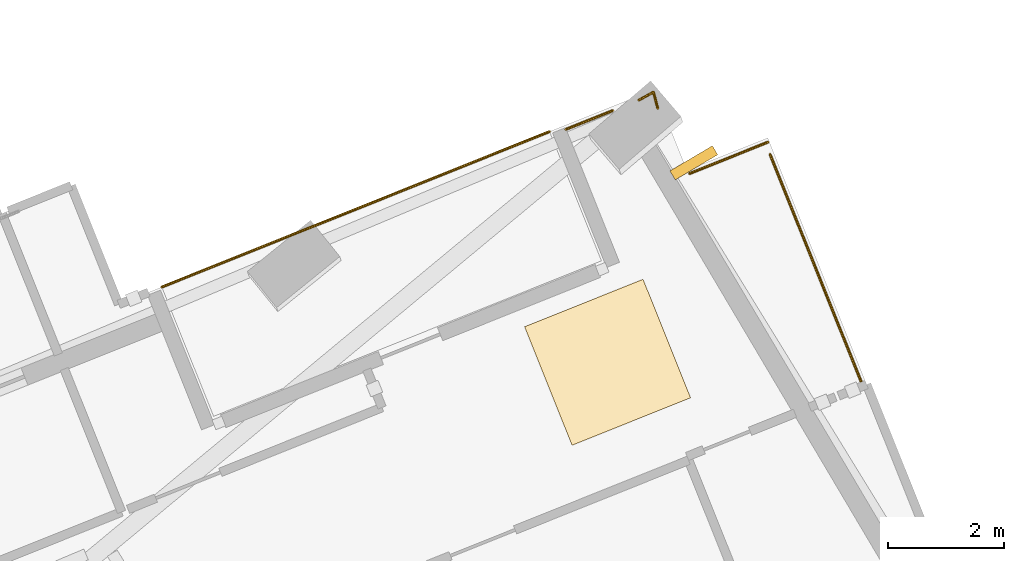
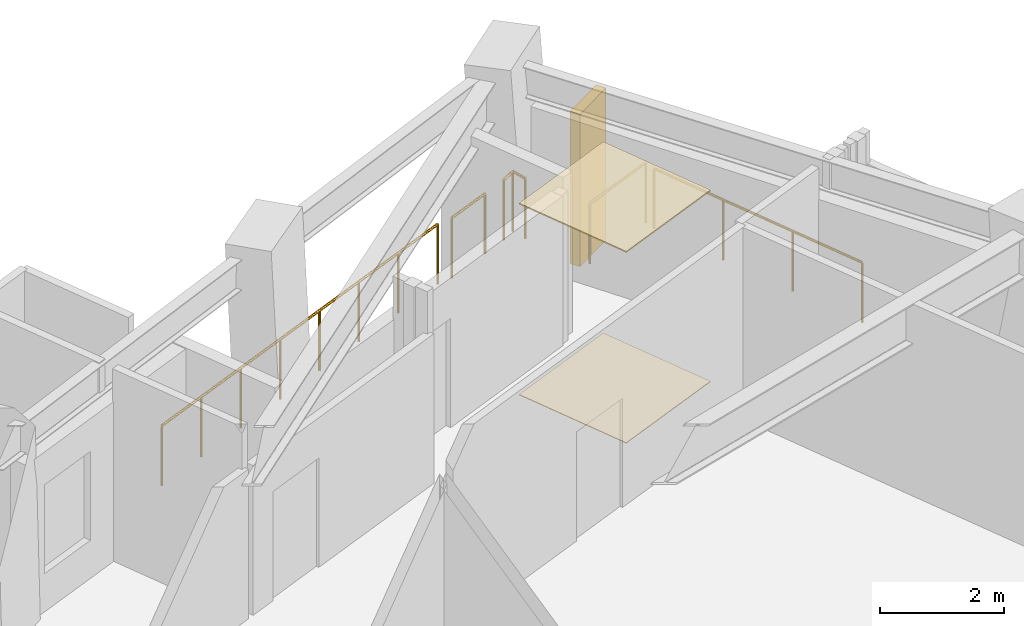
# One storey, part 16 of 16: 5 railings, 2 coverings, 1 shading device.
"""IFC4 building model written with IfcOpenShell, lengths in metres."""

from ifc_helpers import new_model, si_unit, direction, frame, origin, origin_2d, place, context, subcontext, project, spatial, rectangle, circle, extrude, material, layer, layer_set, type_object, element, save


model = new_model("IFC4")

# Units and contexts
model_context = context("Model", 3, precision=1e-05, world=origin(), true_north=direction((0.0, 1.0)))
body_context = subcontext(model_context, "Body", "Model", "MODEL_VIEW")
ifc_project = project(units=[si_unit("LENGTHUNIT", "METRE"), si_unit("AREAUNIT", "SQUARE_METRE"), si_unit("VOLUMEUNIT", "CUBIC_METRE"), si_unit("PLANEANGLEUNIT", "RADIAN"), si_unit("MASSUNIT", "GRAM", prefix="KILO")], contexts=[model_context])

# Site, building, storey
site_placement = place(None, origin())
site = spatial("IfcSite", under=ifc_project, at=site_placement, CompositionType="ELEMENT")
building_placement = place(site_placement, origin())
building = spatial("IfcBuilding", under=site, at=building_placement, Name="Gaonmaruhae Medical Tower", CompositionType="ELEMENT")
storey_placement = place(building_placement, frame((0.0, 0.0, 116.39990234375)))
storey = spatial("IfcBuildingStorey", under=building, at=storey_placement, Name="L27", CompositionType="ELEMENT", Elevation=116.39990234375)

# Coverings
ifc_material_1 = material(Name="Acoustic mineral ceiling tile", Category="finish")
ifc_layer_1 = layer(ifc_material_1, 0.02490234375)
ifc_layer_set_1 = layer_set([ifc_layer_1], Name="Acoustic mineral ceiling tile")
covering_type_1 = type_object("IfcCoveringType", Name="CLG-01 Antimicrobial Acoustic Mineral Ceiling", PredefinedType="CEILING", material=ifc_layer_set_1)
covering_1_placement = place(storey_placement, frame((53.228515625, 27.431884765625, 3.755126953125), z_axis=(0.0, 0.0, 1.0), x_axis=(0.928161393808, 0.372177950778, 0.0)))
element("IfcCovering", 1, at=covering_1_placement, inside=storey, type_object=covering_type_1, Name="L27 Clinical Corridor Acoustic Ceiling", PredefinedType="CEILING", context=body_context, shape_type="SweptSolid", body=[
    extrude(rectangle(XDim=2.199951171875, YDim=2.199951171875, at=origin_2d()), origin(), (0.0, 0.0, 1.0), 0.02490234375),
])
ifc_material_2 = material(Name="Seamless clinical vinyl flooring", Category="finish")
ifc_layer_2 = layer(ifc_material_2, 0.014892578125)
ifc_layer_set_2 = layer_set([ifc_layer_2], Name="Seamless clinical vinyl flooring")
covering_type_2 = type_object("IfcCoveringType", Name="FLR-01 Seamless Clinical Antistatic Vinyl Flooring", PredefinedType="FLOORING", material=ifc_layer_set_2)
covering_2_placement = place(storey_placement, frame((53.228515625, 27.431884765625, 0.00048828125), z_axis=(0.0, 0.0, 1.0), x_axis=(0.928161393808, 0.372177950778, 0.0)))
element("IfcCovering", 2, at=covering_2_placement, inside=storey, type_object=covering_type_2, Name="L27 Clinical Corridor Vinyl Flooring", PredefinedType="FLOORING", context=body_context, shape_type="SweptSolid", body=[
    extrude(rectangle(XDim=2.199951171875, YDim=2.199951171875, at=origin_2d()), origin(), (0.0, 0.0, 1.0), 0.014892578125),
])

# Railings
ifc_material_3 = material(Name="Stainless steel 316L and laminated safety glass", Category="steel")
ifc_layer_3 = layer(ifc_material_3, 0.080078125)
ifc_layer_set_3 = layer_set([ifc_layer_3], Name="Stainless steel 316L and laminated safety glass")
railing_type = type_object("IfcRailingType", Name="GD-120 Outdoor Terrace Safety Glass & Steel Balustrade", PredefinedType="BALUSTRADE", material=ifc_layer_set_3)
railing_1_placement = place(storey_placement, frame((52.22900390625, 31.407958984375, 0.0)))
element("IfcRailing", 3, at=railing_1_placement, inside=storey, type_object=railing_type, Name="L27 Terrace Safety Guard RL-SLB-L27-TER-03", PredefinedType="BALUSTRADE", context=body_context, shape_type="SweptSolid", body=[
    extrude(circle(Radius=0.02392578125, at=origin_2d()), frame((0.0, 0.0, 1.17578125), z_axis=(-0.928163003937, -0.372173935309, 0.0), x_axis=(0.372173935309, -0.928163003937, 0.0)), (0.0, 0.0, 1.0), 7.2001953125),
    extrude(circle(Radius=0.02099609375, at=origin_2d()), origin(), (0.0, 0.0, 1.0), 1.15185546875),
    extrude(circle(Radius=0.02099609375, at=origin_2d()), frame((-0.95458984375, -0.3828125, 0.0)), (0.0, 0.0, 1.0), 1.15185546875),
    extrude(circle(Radius=0.02099609375, at=origin_2d()), frame((-1.909423828125, -0.765625, 0.0)), (0.0, 0.0, 1.0), 1.15185546875),
    extrude(circle(Radius=0.02099609375, at=origin_2d()), frame((-2.864013671875, -1.1484375, 0.0)), (0.0, 0.0, 1.0), 1.15185546875),
    extrude(circle(Radius=0.02099609375, at=origin_2d()), frame((-3.81884765625, -1.53125, 0.0)), (0.0, 0.0, 1.0), 1.15185546875),
    extrude(circle(Radius=0.02099609375, at=origin_2d()), frame((-4.7734375, -1.9140625, 0.0)), (0.0, 0.0, 1.0), 1.15185546875),
    extrude(circle(Radius=0.02099609375, at=origin_2d()), frame((-5.728271484375, -2.296875, 0.0)), (0.0, 0.0, 1.0), 1.15185546875),
    extrude(circle(Radius=0.02099609375, at=origin_2d()), frame((-6.682861328125, -2.6796875, 0.0)), (0.0, 0.0, 1.0), 1.15185546875),
])
railing_2_placement = place(storey_placement, frame((54.6416015625, 30.68408203125, 0.0)))
element("IfcRailing", 4, at=railing_2_placement, inside=storey, type_object=railing_type, Name="L27 Perimeter Slab Edge Safety Balustrade 01", PredefinedType="BALUSTRADE", context=body_context, shape_type="SweptSolid", body=[
    extrude(circle(Radius=0.02392578125, at=origin_2d()), frame((0.0, 0.0, 1.17578125), z_axis=(0.928211216302, 0.372053676143, 0.0), x_axis=(-0.372053676143, 0.928211216302, 0.0)), (0.0, 0.0, 1.0), 1.4599609375),
    extrude(circle(Radius=0.02099609375, at=origin_2d()), origin(), (0.0, 0.0, 1.0), 1.15185546875),
    extrude(circle(Radius=0.02099609375, at=origin_2d()), frame((1.355224609375, 0.543212890625, 0.0)), (0.0, 0.0, 1.0), 1.15185546875),
])
railing_3_placement = place(storey_placement, frame((56.027587890625, 31.0166015625, 0.0)))
element("IfcRailing", 5, at=railing_3_placement, inside=storey, type_object=railing_type, Name="L27 Perimeter Slab Edge Safety Balustrade 02", PredefinedType="BALUSTRADE", context=body_context, shape_type="SweptSolid", body=[
    extrude(circle(Radius=0.02392578125, at=origin_2d()), frame((0.0, 0.0, 1.17578125), z_axis=(0.37216982451, -0.928164652271, 0.0), x_axis=(0.928164652271, 0.37216982451, 0.0)), (0.0, 0.0, 1.0), 4.267333984375),
    extrude(circle(Radius=0.02099609375, at=origin_2d()), origin(), (0.0, 0.0, 1.0), 1.15185546875),
    extrude(circle(Radius=0.02099609375, at=origin_2d()), frame((0.529296875, -1.3203125, 0.0)), (0.0, 0.0, 1.0), 1.15185546875),
    extrude(circle(Radius=0.02099609375, at=origin_2d()), frame((1.058837890625, -2.640380859375, 0.0)), (0.0, 0.0, 1.0), 1.15185546875),
    extrude(circle(Radius=0.02099609375, at=origin_2d()), frame((1.588134765625, -3.960693359375, 0.0)), (0.0, 0.0, 1.0), 1.15185546875),
])
railing_4_placement = place(storey_placement, frame((52.509765625, 31.4453125, 0.0)))
element("IfcRailing", 6, at=railing_4_placement, inside=storey, type_object=railing_type, Name="L27 Perimeter Slab Edge Safety Balustrade 09", PredefinedType="BALUSTRADE", context=body_context, shape_type="SweptSolid", body=[
    extrude(circle(Radius=0.02392578125, at=origin_2d()), frame((0.0, 0.0, 1.17578125), z_axis=(0.928244002298, 0.37197187017, 0.0), x_axis=(-0.37197187017, 0.928244002298, 0.0)), (0.0, 0.0, 1.0), 0.868896484375),
    extrude(circle(Radius=0.02099609375, at=origin_2d()), origin(), (0.0, 0.0, 1.0), 1.15185546875),
    extrude(circle(Radius=0.02099609375, at=origin_2d()), frame((0.806640625, 0.3232421875, 0.0)), (0.0, 0.0, 1.0), 1.15185546875),
])
railing_5_placement = place(storey_placement, frame((53.767822265625, 31.94970703125, 0.0)))
element("IfcRailing", 7, at=railing_5_placement, inside=storey, type_object=railing_type, Name="L27 Perimeter Corner Safety Balustrade 11", PredefinedType="BALUSTRADE", context=body_context, shape_type="SweptSolid", body=[
    extrude(circle(Radius=0.02392578125, at=origin_2d()), frame((0.0, 0.0, 1.17578125), z_axis=(0.876036275348, 0.482245211769, 0.0), x_axis=(-0.482245211769, 0.876036275348, 0.0)), (0.0, 0.0, 1.0), 0.287109375),
    extrude(circle(Radius=0.02392578125, at=origin_2d()), frame((0.25146484375, 0.138427734375, 1.17578125), z_axis=(0.256710205396, -0.966488422303, 0.0), x_axis=(0.966488422303, 0.256710205396, 0.0)), (0.0, 0.0, 1.0), 0.287109375),
    extrude(circle(Radius=0.02099609375, at=origin_2d()), origin(), (0.0, 0.0, 1.0), 1.15185546875),
    extrude(circle(Radius=0.02099609375, at=origin_2d()), frame((0.25146484375, 0.138427734375, 0.0)), (0.0, 0.0, 1.0), 1.15185546875),
    extrude(circle(Radius=0.02099609375, at=origin_2d()), frame((0.3251953125, -0.13916015625, 0.0)), (0.0, 0.0, 1.0), 1.15185546875),
])

# Shading device
ifc_material_4 = material(Name="Pigmented coral precast concrete C45/55", Category="concrete")
shading_device_type = type_object("IfcShadingDeviceType", Name="SD-FIN1 Tower Vertical Coral Precast Shading Fin", PredefinedType="USERDEFINED", material=ifc_material_4)
shading_device_placement = place(storey_placement, frame((54.715087890625, 30.869384765625, 0.08251953125), z_axis=(0.0, 0.0, 1.0), x_axis=(0.509642202947, -0.860386439326, 0.0)))
element("IfcShadingDevice", 8, at=shading_device_placement, inside=storey, type_object=shading_device_type, Name="L27 Vertical Coral Precast Shading Fin E02", ObjectType="FIN", PredefinedType="USERDEFINED", context=body_context, shape_type="SweptSolid", body=[
    extrude(rectangle(XDim=0.179931640625, YDim=0.85009765625, at=origin_2d()), origin(), (0.0, 0.0, 1.0), 3.0),
])

save(model, "model.ifc")
